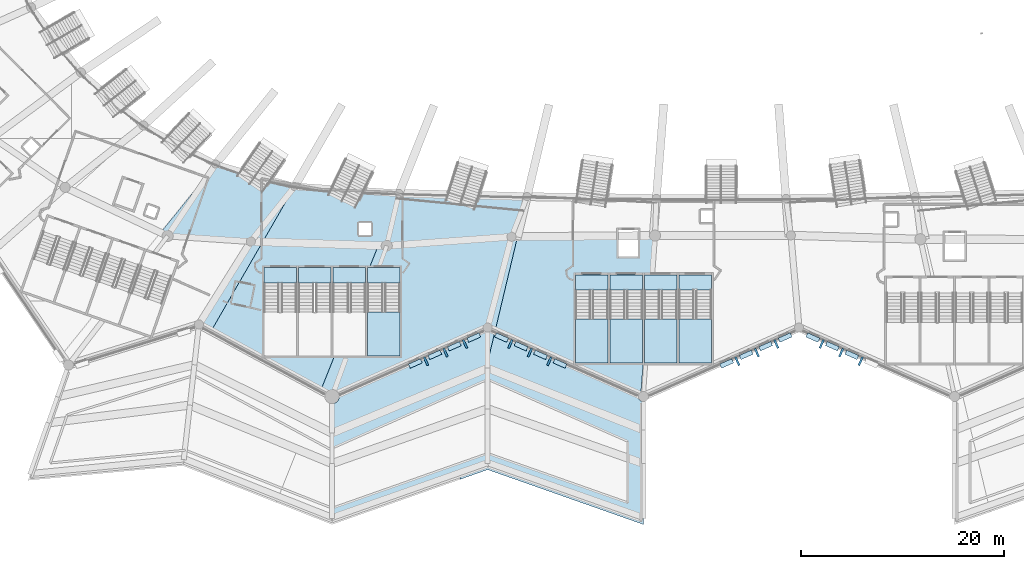
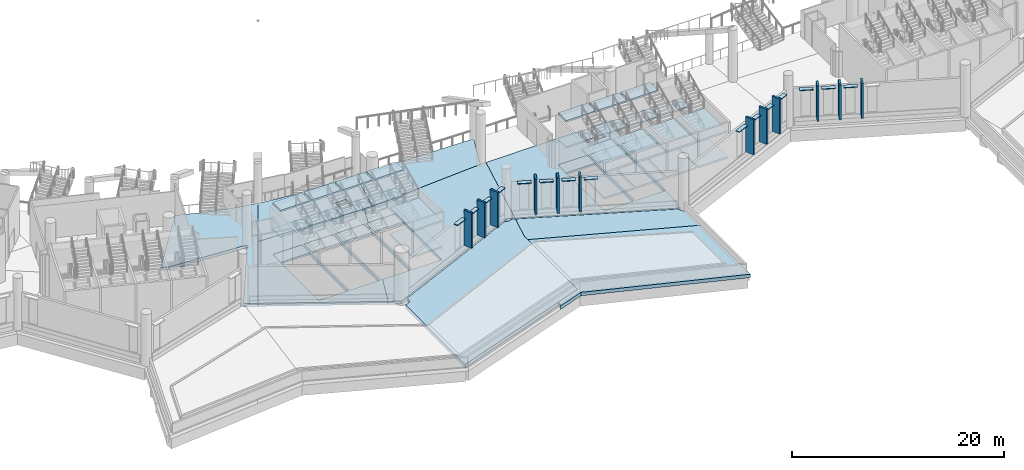
# One storey, part 23 of 173: 41 slabs, 27 plates, 8 elements without a shape of their own.
"""IFC4 building model written with IfcOpenShell, lengths in metres."""

from ifc_helpers import new_model, si_unit, direction, frame, origin, origin_2d, place, context, subcontext, project, spatial, polyline, rectangle, outline, extrude, material, layer, layer_set, type_object, element, aggregate, save


model = new_model("IFC4")

# Units and contexts
model_context = context("Model", 3, precision=1e-05, world=origin(), true_north=direction((0.0, 1.0)))
body_context = subcontext(model_context, "Body", "Model", "MODEL_VIEW")
ifc_project = project(units=[si_unit("LENGTHUNIT", "METRE"), si_unit("AREAUNIT", "SQUARE_METRE"), si_unit("VOLUMEUNIT", "CUBIC_METRE"), si_unit("PLANEANGLEUNIT", "RADIAN"), si_unit("MASSUNIT", "GRAM", prefix="KILO")], contexts=[model_context])

# Site, building, storey
site_placement = place(None, origin())
site = spatial("IfcSite", under=ifc_project, at=site_placement, CompositionType="ELEMENT")
building_placement = place(site_placement, origin())
building = spatial("IfcBuilding", under=site, at=building_placement, Name="Meseta Stadium", CompositionType="ELEMENT")
storey_placement = place(building_placement, frame((0.0, 0.0, 18.0)))
storey = spatial("IfcBuildingStorey", under=building, at=storey_placement, Name="L03", CompositionType="ELEMENT", Elevation=18.0)

# Slabs
ifc_material_1 = material(Name="Concrete C40/50", Category="concrete")
ifc_layer_1 = layer(ifc_material_1, 0.35009765625)
ifc_layer_set_1 = layer_set([ifc_layer_1], Name="Floor slab 350")
slab_type_1 = type_object("IfcSlabType", Name="Floor slab 350", PredefinedType="FLOOR", material=ifc_layer_set_1)
slab_1_placement = place(storey_placement, frame((0.0, 0.0, -0.35009765625)))
element("IfcSlab", 1, at=slab_1_placement, inside=storey, type_object=slab_type_1, Name="Floor slab L03 sector 42 panel 02", PredefinedType="FLOOR", context=body_context, shape_type="SweptSolid", body=[
    extrude(outline(polyline([(-44.658935546875, -84.156005859375), (-45.963623046875, -83.810302734375), (-47.255126953125, -83.418701171875), (-48.531494140625, -82.981201171875), (-49.78125, -82.502685546875), (-55.224365234375, -89.246826171875), (-54.523193359375, -89.579345703125), (-46.333251953125, -90.126220703125), (-51.44140625, -98.29443359375), (-50.244384765625, -98.943359375), (-42.015380859375, -84.707275390625), (-43.34228515625, -84.455078125), (-44.658935546875, -84.156005859375)])), origin(), (0.0, 0.0, 1.0), 0.35009765625),
])
slab_2_placement = place(storey_placement, frame((0.0, 0.0, -0.35009765625)))
element("IfcSlab", 2, at=slab_2_placement, inside=storey, type_object=slab_type_1, Name="Floor slab L03 sector 42 panel 03", PredefinedType="FLOOR", context=body_context, shape_type="SweptSolid", body=[
    extrude(outline(polyline([(-45.169189453125, -90.1630859375), (-50.244384765625, -98.943359375), (-39.443603515625, -104.798095703125), (-38.09521484375, -101.39990234375), (-38.2333984375, -101.39990234375), (-38.2333984375, -92.699951171875), (-35.033203125, -92.699951171875), (-35.033203125, -93.683837890625), (-34.833251953125, -93.179931640625), (-34.833251953125, -92.699951171875), (-34.642822265625, -92.699951171875), (-33.779541015625, -90.524658203125), (-45.169189453125, -90.1630859375)]), holes=[polyline([(-41.63330078125, -92.699951171875), (-38.433349609375, -92.699951171875), (-38.433349609375, -101.39990234375), (-41.63330078125, -101.39990234375), (-41.63330078125, -92.699951171875)]), polyline([(-45.033203125, -92.699951171875), (-41.833251953125, -92.699951171875), (-41.833251953125, -101.39990234375), (-45.033203125, -101.39990234375), (-45.033203125, -92.699951171875)])]), origin(), (0.0, 0.0, 1.0), 0.35009765625),
])
slab_3_placement = place(storey_placement, frame((0.0, 0.0, -0.35009765625)))
element("IfcSlab", 3, at=slab_3_placement, inside=storey, type_object=slab_type_1, Name="Floor slab L03 sector 42 panel 04", PredefinedType="FLOOR", context=body_context, shape_type="SweptSolid", body=[
    extrude(outline(polyline([(-35.91015625, -85.2470703125), (-37.989990234375, -85.17919921875), (-39.337890625, -85.069580078125), (-40.68017578125, -84.912109375), (-42.015380859375, -84.707275390625), (-45.169189453125, -90.1630859375), (-32.944091796875, -90.551025390625), (-31.73681640625, -85.376708984375), (-33.82568359375, -85.31298828125), (-35.91015625, -85.2470703125)]), holes=[polyline([(-35.683349609375, -88.301025390625), (-34.4833984375, -88.301025390625), (-34.4833984375, -89.501220703125), (-35.683349609375, -89.501220703125), (-35.683349609375, -88.301025390625)])]), origin(), (0.0, 0.0, 1.0), 0.35009765625),
])
slab_4_placement = place(storey_placement, frame((0.0, 0.0, -0.35009765625)))
element("IfcSlab", 4, at=slab_4_placement, inside=storey, type_object=slab_type_1, Name="Floor slab L03 sector 42 panel 05", PredefinedType="FLOOR", context=body_context, shape_type="SweptSolid", body=[
    extrude(outline(polyline([(-35.033203125, -93.683837890625), (-35.033203125, -101.39990234375), (-38.09521484375, -101.39990234375), (-39.443603515625, -104.798095703125), (-38.333251953125, -105.39990234375), (-23.0, -98.60009765625), (-22.267822265625, -98.9248046875), (-20.059814453125, -89.651611328125), (-20.649658203125, -89.65625), (-32.944091796875, -90.551025390625), (-33.779541015625, -90.524658203125), (-34.642822265625, -92.699951171875), (-31.63330078125, -92.699951171875), (-31.63330078125, -101.39990234375), (-34.833251953125, -101.39990234375), (-34.833251953125, -93.179931640625), (-35.033203125, -93.683837890625)])), origin(), (0.0, 0.0, 1.0), 0.35009765625),
])
slab_5_placement = place(storey_placement, frame((0.0, 0.0, -0.35009765625)))
element("IfcSlab", 5, at=slab_5_placement, inside=storey, type_object=slab_type_1, Name="Floor slab L03 sector 42 panel 06", PredefinedType="FLOOR", context=body_context, shape_type="SweptSolid", body=[
    extrude(outline(polyline([(-27.54638671875, -85.49658203125), (-29.643798828125, -85.43798828125), (-31.73681640625, -85.376708984375), (-32.944091796875, -90.551025390625), (-20.649658203125, -89.65625), (-19.11865234375, -85.6982421875), (-21.23095703125, -85.6533203125), (-23.33984375, -85.6044921875), (-25.445068359375, -85.55224609375), (-27.54638671875, -85.49658203125)])), origin(), (0.0, 0.0, 1.0), 0.35009765625),
])
slab_6_placement = place(storey_placement, frame((0.0, 0.0, -0.35009765625)))
element("IfcSlab", 6, at=slab_6_placement, inside=storey, type_object=slab_type_1, Name="Floor slab L03 sector 42 panel 07", PredefinedType="FLOOR", context=body_context, shape_type="SweptSolid", body=[
    extrude(outline(polyline([(-20.059814453125, -89.651611328125), (-22.267822265625, -98.9248046875), (-7.92724609375, -105.284423828125), (-7.566650390625, -100.740478515625), (-7.566650390625, -93.39990234375), (-6.984130859375, -93.39990234375), (-6.678466796875, -89.547607421875), (-8.216796875, -89.5595703125), (-8.216796875, -91.60009765625), (-10.11669921875, -91.60009765625), (-10.11669921875, -89.574462890625), (-20.059814453125, -89.651611328125)]), holes=[polyline([(-14.36669921875, -93.39990234375), (-11.166748046875, -93.39990234375), (-11.166748046875, -102.10009765625), (-14.36669921875, -102.10009765625), (-14.36669921875, -93.39990234375)]), polyline([(-10.966796875, -93.39990234375), (-7.7666015625, -93.39990234375), (-7.7666015625, -102.10009765625), (-10.966796875, -102.10009765625), (-10.966796875, -93.39990234375)])]), origin(), (0.0, 0.0, 1.0), 0.35009765625),
])

# Plates
ifc_material_2 = material(Name="White precast concrete C40/50", Category="concrete")
ifc_layer_2 = layer(ifc_material_2, 0.080078125)
ifc_layer_set_2 = layer_set([ifc_layer_2], Name="Louvre hood 1300x450")
plate_type_1 = type_object("IfcPlateType", Name="Louvre hood 1300x450", PredefinedType="USERDEFINED", material=ifc_layer_set_2)
for number, where, z_axis, x_axis, name in (
    (7, (-24.366455078125, -99.5888671875, 4.25), (0.0, 0.0, 1.0), (0.914139046248, 0.40540079443, 0.0), "Louvre hood L03 F44"),
    (8, (-26.2861328125, -100.440185546875, 4.25), (0.0, 0.0, 1.0), (0.914139046248, 0.40540079443, 0.0), "Louvre hood L03 F44"),
    (9, (-28.205810546875, -101.29150390625, 4.25), (0.0, 0.0, 1.0), (0.914139046248, 0.40540079443, 0.0), "Louvre hood L03 F44"),
    (10, (-30.12548828125, -102.142822265625, 4.25), (0.0, 0.0, 1.0), (0.914139046248, 0.40540079443, 0.0), "Louvre hood L03 F44"),
    (11, (-21.633544921875, -99.5888671875, 4.25), (0.0, 0.0, 1.0), (0.914139046248, -0.40540079443, 0.0), "Louvre hood L03 F45"),
    (12, (-19.7138671875, -100.440185546875, 4.25), (0.0, 0.0, 1.0), (0.914139046248, -0.40540079443, 0.0), "Louvre hood L03 F45"),
    (13, (-17.794189453125, -101.29150390625, 4.25), (0.0, 0.0, 1.0), (0.914139046248, -0.40540079443, 0.0), "Louvre hood L03 F45"),
    (14, (-15.87451171875, -102.142822265625, 4.25), (0.0, 0.0, 1.0), (0.914139046248, -0.40540079443, 0.0), "Louvre hood L03 F45"),
    (15, (6.30029296875, -99.5888671875, 4.25), (0.0, 0.0, 1.0), (0.914139046248, 0.40540079443, 0.0), "Louvre hood L03 F46"),
    (16, (4.380615234375, -100.440185546875, 4.25), (0.0, 0.0, 1.0), (0.914139046248, 0.40540079443, 0.0), "Louvre hood L03 F46"),
    (17, (2.4609375, -101.29150390625, 4.25), (0.0, 0.0, 1.0), (0.914139046248, 0.40540079443, 0.0), "Louvre hood L03 F46"),
    (18, (0.541259765625, -102.142822265625, 4.25), (0.0, 0.0, 1.0), (0.914139046248, 0.40540079443, 0.0), "Louvre hood L03 F46"),
    (19, (9.033203125, -99.5888671875, 4.25), (0.0, 0.0, 1.0), (0.914139046248, -0.40540079443, 0.0), "Louvre hood L03 F47"),
    (20, (10.952880859375, -100.440185546875, 4.25), (0.0, 0.0, 1.0), (0.914139046248, -0.40540079443, 0.0), "Louvre hood L03 F47"),
    (21, (12.87255859375, -101.29150390625, 4.25), (0.0, 0.0, 1.0), (0.914139046248, -0.40540079443, 0.0), "Louvre hood L03 F47"),
):
    element("IfcPlate", number, at=place(storey_placement, frame(where, z_axis=z_axis, x_axis=x_axis)), inside=storey, type_object=plate_type_1, Name=name, ObjectType="LOUVRE", PredefinedType="USERDEFINED", context=body_context, shape_type="SweptSolid", body=[
        extrude(rectangle(XDim=1.300048828125, YDim=0.449951171875, at=origin_2d()), origin(), (0.0, 0.0, 1.0), 0.080078125),
    ])
ifc_material_3 = material(Name="Precast concrete C40/50, terracotta pigment", Category="masonry")
ifc_layer_3 = layer(ifc_material_3, 0.199951171875)
ifc_layer_set_3 = layer_set([ifc_layer_3], Name="Precast concrete C40/50, terracotta pigment")
plate_type_2 = type_object("IfcPlateType", Name="Precast fin 200x900", PredefinedType="USERDEFINED", material=ifc_layer_set_3)
for number, where, z_axis, x_axis, name in (
    (22, (-25.235107421875, -100.22021484375, 0.9501953125), (0.0, 0.0, 1.0), (-0.914139367606, -0.405400069798, 0.0), "Precast fin L03 F44.1"),
    (23, (-27.15478515625, -101.071533203125, 0.9501953125), (0.0, 0.0, 1.0), (-0.914139367606, -0.405400069798, 0.0), "Precast fin L03 F44.2"),
    (24, (-29.074462890625, -101.9228515625, 0.9501953125), (0.0, 0.0, 1.0), (-0.914139367606, -0.405400069798, 0.0), "Precast fin L03 F44.3"),
    (25, (-16.925537109375, -101.9228515625, 0.9501953125), (0.0, 0.0, 1.0), (-0.914139367606, 0.405400069798, 0.0), "Precast fin L03 F45.1"),
    (26, (-18.84521484375, -101.071533203125, 0.9501953125), (0.0, 0.0, 1.0), (-0.914139367606, 0.405400069798, 0.0), "Precast fin L03 F45.2"),
    (27, (-20.764892578125, -100.22021484375, 0.9501953125), (0.0, 0.0, 1.0), (-0.914139367606, 0.405400069798, 0.0), "Precast fin L03 F45.3"),
    (28, (5.431640625, -100.22021484375, 0.9501953125), (0.0, 0.0, 1.0), (-0.914139367606, -0.405400069798, 0.0), "Precast fin L03 F46.1"),
    (29, (3.511962890625, -101.071533203125, 0.9501953125), (0.0, 0.0, 1.0), (-0.914139367606, -0.405400069798, 0.0), "Precast fin L03 F46.2"),
    (30, (1.59228515625, -101.9228515625, 0.9501953125), (0.0, 0.0, 1.0), (-0.914139367606, -0.405400069798, 0.0), "Precast fin L03 F46.3"),
    (31, (13.7412109375, -101.9228515625, 0.9501953125), (0.0, 0.0, 1.0), (-0.914139367606, 0.405400069798, 0.0), "Precast fin L03 F47.1"),
    (32, (11.8212890625, -101.071533203125, 0.9501953125), (0.0, 0.0, 1.0), (-0.914139367606, 0.405400069798, 0.0), "Precast fin L03 F47.2"),
    (33, (9.901611328125, -100.22021484375, 0.9501953125), (0.0, 0.0, 1.0), (-0.914139367606, 0.405400069798, 0.0), "Precast fin L03 F47.3"),
):
    element("IfcPlate", number, at=place(storey_placement, frame(where, z_axis=z_axis, x_axis=x_axis)), inside=storey, type_object=plate_type_2, Name=name, ObjectType="FIN", PredefinedType="USERDEFINED", context=body_context, shape_type="SweptSolid", body=[
        extrude(rectangle(XDim=0.199951171875, YDim=0.89990234375, at=origin_2d()), origin(), (0.0, 0.0, 1.0), 4.050048828125),
    ])

# Slabs
ifc_material_4 = material(Name="Concrete C40/50", Category="concrete")
ifc_layer_4 = layer(ifc_material_4, 0.39990234375)
ifc_layer_set_4 = layer_set([ifc_layer_4], Name="Roof garden slab 400")
slab_type_2 = type_object("IfcSlabType", Name="Roof garden slab 400", PredefinedType="ROOF", material=ifc_layer_set_4)
slab_7_placement = place(storey_placement, frame((0.0, 0.0, -0.39990234375)))
element("IfcSlab", 34, at=slab_7_placement, inside=storey, type_object=slab_type_2, Name="Roof garden slab 6 panel 05", PredefinedType="ROOF", context=body_context, shape_type="SweptSolid", body=[
    extrude(outline(polyline([(-37.721923828125, -105.7529296875), (-37.833984375, -105.899169921875), (-37.980224609375, -106.011474609375), (-38.150634765625, -106.08203125), (-38.333251953125, -106.10595703125), (-38.333251953125, -117.39990234375), (-23.0, -112.0), (-23.0, -102.0), (-22.302978515625, -99.072998046875), (-22.670654296875, -98.91015625), (-22.67919921875, -98.9208984375), (-22.773193359375, -98.9931640625), (-22.882568359375, -99.038330078125), (-23.0, -99.053955078125), (-23.117431640625, -99.038330078125), (-23.226806640625, -98.9931640625), (-23.32080078125, -98.9208984375), (-23.329345703125, -98.91015625), (-37.645751953125, -105.25927734375), (-37.627197265625, -105.39990234375), (-37.6513671875, -105.582763671875), (-37.721923828125, -105.7529296875)])), origin(), (0.0, 0.0, 1.0), 0.39990234375),
])
slab_8_placement = place(storey_placement, frame((0.0, 0.0, -0.39990234375)))
element("IfcSlab", 35, at=slab_8_placement, inside=storey, type_object=slab_type_2, Name="Roof garden slab 6 panel 06", PredefinedType="ROOF", context=body_context, shape_type="SweptSolid", body=[
    extrude(outline(polyline([(-25.7548828125, -113.5703125), (-23.0, -112.60009765625), (-7.666748046875, -118.0), (-7.666748046875, -108.699951171875), (-23.0, -102.60009765625), (-23.0, -112.0), (-25.598876953125, -112.915283203125), (-25.7548828125, -113.5703125)])), origin(), (0.0, 0.0, 1.0), 0.39990234375),
])
slab_9_placement = place(storey_placement, frame((0.0, 0.0, -0.39990234375)))
element("IfcSlab", 36, at=slab_9_placement, inside=storey, type_object=slab_type_2, Name="Roof garden slab 6 panel 07", PredefinedType="ROOF", context=body_context, shape_type="SweptSolid", body=[
    extrude(outline(polyline([(-8.103515625, -105.652099609375), (-8.15380859375, -105.530517578125), (-8.1708984375, -105.39990234375), (-8.16357421875, -105.34375), (-22.302978515625, -99.072998046875), (-23.0, -102.0), (-23.0, -102.60009765625), (-7.666748046875, -108.699951171875), (-7.666748046875, -105.904296875), (-7.797119140625, -105.88720703125), (-7.918701171875, -105.836669921875), (-7.96826171875, -105.798828125), (-8.023193359375, -105.756591796875), (-8.103515625, -105.652099609375)])), origin(), (0.0, 0.0, 1.0), 0.39990234375),
])

# Stair, slabs
ifc_material_5 = material(Name="Concrete C40/50", Category="concrete")
stair_type = type_object("IfcStairType", Name="Exit stair 4 flights 150 mm risers", PredefinedType="HALF_TURN_STAIR", material=ifc_material_5)
stair_1_placement = place(storey_placement, origin())
stair_1 = element("IfcStair", 37, at=stair_1_placement, inside=storey, type_object=stair_type, Name="ST89 L03", PredefinedType="HALF_TURN_STAIR")
ifc_material_6 = material(Name="Concrete C40/50", Category="concrete")
ifc_layer_5 = layer(ifc_material_6, 0.199951171875)
ifc_layer_set_5 = layer_set([ifc_layer_5], Name="Stair landing 200")
slab_type_3 = type_object("IfcSlabType", Name="Stair landing 200", PredefinedType="LANDING", material=ifc_layer_set_5)
slab_10_placement = place(storey_placement, frame((0.0, 0.0, 2.800048828125)))
slab_10 = element("IfcSlab", 38, at=slab_10_placement, type_object=slab_type_3, Name="ST89 L03 landing 2", PredefinedType="LANDING", context=body_context, shape_type="SweptSolid", body=[
    extrude(outline(polyline([(-45.033447265625, -92.699951171875), (-45.033447265625, -94.2099609375), (-41.833251953125, -94.2099609375), (-41.833251953125, -92.699951171875), (-45.033447265625, -92.699951171875)])), origin(), (0.0, 0.0, 1.0), 0.199951171875),
])
slab_11_placement = place(storey_placement, frame((0.0, 0.0, -0.199951171875)))
slab_11 = element("IfcSlab", 39, at=slab_11_placement, type_object=slab_type_3, Name="ST89 L03 landing 4", PredefinedType="LANDING", context=body_context, shape_type="SweptSolid", body=[
    extrude(outline(polyline([(-45.033447265625, -92.699951171875), (-45.033447265625, -94.2099609375), (-41.833251953125, -94.2099609375), (-41.833251953125, -92.699951171875), (-45.033447265625, -92.699951171875)])), origin(), (0.0, 0.0, 1.0), 0.199951171875),
])
slab_12_placement = place(storey_placement, frame((0.0, 0.0, 5.800048828125)))
slab_12 = element("IfcSlab", 40, at=slab_12_placement, type_object=slab_type_3, Name="ST89 L03 landing 5", PredefinedType="LANDING", context=body_context, shape_type="SweptSolid", body=[
    extrude(outline(polyline([(-45.033447265625, -92.699951171875), (-45.033447265625, -94.2099609375), (-41.833251953125, -94.2099609375), (-41.833251953125, -92.699951171875), (-45.033447265625, -92.699951171875)])), origin(), (0.0, 0.0, 1.0), 0.199951171875),
])
aggregate(stair_1, [slab_10, slab_11, slab_12])

stair_2_placement = place(storey_placement, origin())
stair_2 = element("IfcStair", 41, at=stair_2_placement, inside=storey, type_object=stair_type, Name="ST90 L03", PredefinedType="HALF_TURN_STAIR")
slab_13_placement = place(storey_placement, frame((0.0, 0.0, 2.800048828125)))
slab_13 = element("IfcSlab", 42, at=slab_13_placement, type_object=slab_type_3, Name="ST90 L03 landing 2", PredefinedType="LANDING", context=body_context, shape_type="SweptSolid", body=[
    extrude(outline(polyline([(-41.63330078125, -92.699951171875), (-41.63330078125, -94.2099609375), (-38.433349609375, -94.2099609375), (-38.433349609375, -92.699951171875), (-41.63330078125, -92.699951171875)])), origin(), (0.0, 0.0, 1.0), 0.199951171875),
])
slab_14_placement = place(storey_placement, frame((0.0, 0.0, -0.199951171875)))
slab_14 = element("IfcSlab", 43, at=slab_14_placement, type_object=slab_type_3, Name="ST90 L03 landing 4", PredefinedType="LANDING", context=body_context, shape_type="SweptSolid", body=[
    extrude(outline(polyline([(-41.63330078125, -92.699951171875), (-41.63330078125, -94.2099609375), (-38.433349609375, -94.2099609375), (-38.433349609375, -92.699951171875), (-41.63330078125, -92.699951171875)])), origin(), (0.0, 0.0, 1.0), 0.199951171875),
])
slab_15_placement = place(storey_placement, frame((0.0, 0.0, 5.800048828125)))
slab_15 = element("IfcSlab", 44, at=slab_15_placement, type_object=slab_type_3, Name="ST90 L03 landing 5", PredefinedType="LANDING", context=body_context, shape_type="SweptSolid", body=[
    extrude(outline(polyline([(-41.63330078125, -92.699951171875), (-41.63330078125, -94.2099609375), (-38.433349609375, -94.2099609375), (-38.433349609375, -92.699951171875), (-41.63330078125, -92.699951171875)])), origin(), (0.0, 0.0, 1.0), 0.199951171875),
])
aggregate(stair_2, [slab_13, slab_14, slab_15])

stair_3_placement = place(storey_placement, origin())
stair_3 = element("IfcStair", 45, at=stair_3_placement, inside=storey, type_object=stair_type, Name="ST91 L03", PredefinedType="HALF_TURN_STAIR")
slab_16_placement = place(storey_placement, frame((0.0, 0.0, 2.800048828125)))
slab_16 = element("IfcSlab", 46, at=slab_16_placement, type_object=slab_type_3, Name="ST91 L03 landing 2", PredefinedType="LANDING", context=body_context, shape_type="SweptSolid", body=[
    extrude(outline(polyline([(-38.2333984375, -92.699951171875), (-38.2333984375, -94.2099609375), (-35.033447265625, -94.2099609375), (-35.033447265625, -92.699951171875), (-38.2333984375, -92.699951171875)])), origin(), (0.0, 0.0, 1.0), 0.199951171875),
])
slab_17_placement = place(storey_placement, frame((0.0, 0.0, -0.199951171875)))
slab_17 = element("IfcSlab", 47, at=slab_17_placement, type_object=slab_type_3, Name="ST91 L03 landing 4", PredefinedType="LANDING", context=body_context, shape_type="SweptSolid", body=[
    extrude(outline(polyline([(-38.2333984375, -92.699951171875), (-38.2333984375, -94.2099609375), (-35.033447265625, -94.2099609375), (-35.033447265625, -92.699951171875), (-38.2333984375, -92.699951171875)])), origin(), (0.0, 0.0, 1.0), 0.199951171875),
])
slab_18_placement = place(storey_placement, frame((0.0, 0.0, 5.800048828125)))
slab_18 = element("IfcSlab", 48, at=slab_18_placement, type_object=slab_type_3, Name="ST91 L03 landing 5", PredefinedType="LANDING", context=body_context, shape_type="SweptSolid", body=[
    extrude(outline(polyline([(-38.2333984375, -92.699951171875), (-38.2333984375, -94.2099609375), (-35.033447265625, -94.2099609375), (-35.033447265625, -92.699951171875), (-38.2333984375, -92.699951171875)])), origin(), (0.0, 0.0, 1.0), 0.199951171875),
])
aggregate(stair_3, [slab_16, slab_17, slab_18])

stair_4_placement = place(storey_placement, origin())
stair_4 = element("IfcStair", 49, at=stair_4_placement, inside=storey, type_object=stair_type, Name="ST92 L03", PredefinedType="HALF_TURN_STAIR")
slab_19_placement = place(storey_placement, frame((0.0, 0.0, 1.300048828125)))
slab_19 = element("IfcSlab", 50, at=slab_19_placement, type_object=slab_type_3, Name="ST92 L03 landing 1", PredefinedType="LANDING", context=body_context, shape_type="SweptSolid", body=[
    extrude(outline(polyline([(-34.833251953125, -97.070068359375), (-34.833251953125, -101.39990234375), (-31.63330078125, -101.39990234375), (-31.63330078125, -97.070068359375), (-34.833251953125, -97.070068359375)])), origin(), (0.0, 0.0, 1.0), 0.199951171875),
])
slab_20_placement = place(storey_placement, frame((0.0, 0.0, 2.800048828125)))
slab_20 = element("IfcSlab", 51, at=slab_20_placement, type_object=slab_type_3, Name="ST92 L03 landing 2", PredefinedType="LANDING", context=body_context, shape_type="SweptSolid", body=[
    extrude(outline(polyline([(-34.833251953125, -92.699951171875), (-34.833251953125, -94.2099609375), (-31.63330078125, -94.2099609375), (-31.63330078125, -92.699951171875), (-34.833251953125, -92.699951171875)])), origin(), (0.0, 0.0, 1.0), 0.199951171875),
])
slab_21_placement = place(storey_placement, frame((0.0, 0.0, 4.300048828125)))
slab_21 = element("IfcSlab", 52, at=slab_21_placement, type_object=slab_type_3, Name="ST92 L03 landing 3", PredefinedType="LANDING", context=body_context, shape_type="SweptSolid", body=[
    extrude(outline(polyline([(-34.833251953125, -97.070068359375), (-34.833251953125, -101.39990234375), (-31.63330078125, -101.39990234375), (-31.63330078125, -97.070068359375), (-34.833251953125, -97.070068359375)])), origin(), (0.0, 0.0, 1.0), 0.199951171875),
])
slab_22_placement = place(storey_placement, frame((0.0, 0.0, -0.199951171875)))
slab_22 = element("IfcSlab", 53, at=slab_22_placement, type_object=slab_type_3, Name="ST92 L03 landing 4", PredefinedType="LANDING", context=body_context, shape_type="SweptSolid", body=[
    extrude(outline(polyline([(-34.833251953125, -92.699951171875), (-34.833251953125, -94.2099609375), (-31.63330078125, -94.2099609375), (-31.63330078125, -92.699951171875), (-34.833251953125, -92.699951171875)])), origin(), (0.0, 0.0, 1.0), 0.199951171875),
])
slab_23_placement = place(storey_placement, frame((0.0, 0.0, 5.800048828125)))
slab_23 = element("IfcSlab", 54, at=slab_23_placement, type_object=slab_type_3, Name="ST92 L03 landing 5", PredefinedType="LANDING", context=body_context, shape_type="SweptSolid", body=[
    extrude(outline(polyline([(-34.833251953125, -92.699951171875), (-34.833251953125, -94.2099609375), (-31.63330078125, -94.2099609375), (-31.63330078125, -92.699951171875), (-34.833251953125, -92.699951171875)])), origin(), (0.0, 0.0, 1.0), 0.199951171875),
])
aggregate(stair_4, [slab_19, slab_20, slab_21, slab_22, slab_23])

stair_5_placement = place(storey_placement, origin())
stair_5 = element("IfcStair", 55, at=stair_5_placement, inside=storey, type_object=stair_type, Name="ST93 L03", PredefinedType="HALF_TURN_STAIR")
slab_24_placement = place(storey_placement, frame((0.0, 0.0, 1.300048828125)))
slab_24 = element("IfcSlab", 56, at=slab_24_placement, type_object=slab_type_3, Name="ST93 L03 landing 1", PredefinedType="LANDING", context=body_context, shape_type="SweptSolid", body=[
    extrude(outline(polyline([(-14.36669921875, -97.77001953125), (-14.36669921875, -102.10009765625), (-11.166748046875, -102.10009765625), (-11.166748046875, -97.77001953125), (-14.36669921875, -97.77001953125)])), origin(), (0.0, 0.0, 1.0), 0.199951171875),
])
slab_25_placement = place(storey_placement, frame((0.0, 0.0, 2.800048828125)))
slab_25 = element("IfcSlab", 57, at=slab_25_placement, type_object=slab_type_3, Name="ST93 L03 landing 2", PredefinedType="LANDING", context=body_context, shape_type="SweptSolid", body=[
    extrude(outline(polyline([(-14.36669921875, -93.39990234375), (-14.36669921875, -94.909912109375), (-11.166748046875, -94.909912109375), (-11.166748046875, -93.39990234375), (-14.36669921875, -93.39990234375)])), origin(), (0.0, 0.0, 1.0), 0.199951171875),
])
slab_26_placement = place(storey_placement, frame((0.0, 0.0, 4.300048828125)))
slab_26 = element("IfcSlab", 58, at=slab_26_placement, type_object=slab_type_3, Name="ST93 L03 landing 3", PredefinedType="LANDING", context=body_context, shape_type="SweptSolid", body=[
    extrude(outline(polyline([(-14.36669921875, -97.77001953125), (-14.36669921875, -102.10009765625), (-11.166748046875, -102.10009765625), (-11.166748046875, -97.77001953125), (-14.36669921875, -97.77001953125)])), origin(), (0.0, 0.0, 1.0), 0.199951171875),
])
slab_27_placement = place(storey_placement, frame((0.0, 0.0, -0.199951171875)))
slab_27 = element("IfcSlab", 59, at=slab_27_placement, type_object=slab_type_3, Name="ST93 L03 landing 4", PredefinedType="LANDING", context=body_context, shape_type="SweptSolid", body=[
    extrude(outline(polyline([(-14.36669921875, -93.39990234375), (-14.36669921875, -94.909912109375), (-11.166748046875, -94.909912109375), (-11.166748046875, -93.39990234375), (-14.36669921875, -93.39990234375)])), origin(), (0.0, 0.0, 1.0), 0.199951171875),
])
slab_28_placement = place(storey_placement, frame((0.0, 0.0, 5.800048828125)))
slab_28 = element("IfcSlab", 60, at=slab_28_placement, type_object=slab_type_3, Name="ST93 L03 landing 5", PredefinedType="LANDING", context=body_context, shape_type="SweptSolid", body=[
    extrude(outline(polyline([(-14.36669921875, -93.39990234375), (-14.36669921875, -94.909912109375), (-11.166748046875, -94.909912109375), (-11.166748046875, -93.39990234375), (-14.36669921875, -93.39990234375)])), origin(), (0.0, 0.0, 1.0), 0.199951171875),
])
aggregate(stair_5, [slab_24, slab_25, slab_26, slab_27, slab_28])

stair_6_placement = place(storey_placement, origin())
stair_6 = element("IfcStair", 61, at=stair_6_placement, inside=storey, type_object=stair_type, Name="ST94 L03", PredefinedType="HALF_TURN_STAIR")
slab_29_placement = place(storey_placement, frame((0.0, 0.0, 1.300048828125)))
slab_29 = element("IfcSlab", 62, at=slab_29_placement, type_object=slab_type_3, Name="ST94 L03 landing 1", PredefinedType="LANDING", context=body_context, shape_type="SweptSolid", body=[
    extrude(outline(polyline([(-10.966552734375, -97.77001953125), (-10.966552734375, -102.10009765625), (-7.7666015625, -102.10009765625), (-7.7666015625, -97.77001953125), (-10.966552734375, -97.77001953125)])), origin(), (0.0, 0.0, 1.0), 0.199951171875),
])
slab_30_placement = place(storey_placement, frame((0.0, 0.0, 2.800048828125)))
slab_30 = element("IfcSlab", 63, at=slab_30_placement, type_object=slab_type_3, Name="ST94 L03 landing 2", PredefinedType="LANDING", context=body_context, shape_type="SweptSolid", body=[
    extrude(outline(polyline([(-10.966552734375, -93.39990234375), (-10.966552734375, -94.909912109375), (-7.7666015625, -94.909912109375), (-7.7666015625, -93.39990234375), (-10.966552734375, -93.39990234375)])), origin(), (0.0, 0.0, 1.0), 0.199951171875),
])
slab_31_placement = place(storey_placement, frame((0.0, 0.0, 4.300048828125)))
slab_31 = element("IfcSlab", 64, at=slab_31_placement, type_object=slab_type_3, Name="ST94 L03 landing 3", PredefinedType="LANDING", context=body_context, shape_type="SweptSolid", body=[
    extrude(outline(polyline([(-10.966552734375, -97.77001953125), (-10.966552734375, -102.10009765625), (-7.7666015625, -102.10009765625), (-7.7666015625, -97.77001953125), (-10.966552734375, -97.77001953125)])), origin(), (0.0, 0.0, 1.0), 0.199951171875),
])
slab_32_placement = place(storey_placement, frame((0.0, 0.0, -0.199951171875)))
slab_32 = element("IfcSlab", 65, at=slab_32_placement, type_object=slab_type_3, Name="ST94 L03 landing 4", PredefinedType="LANDING", context=body_context, shape_type="SweptSolid", body=[
    extrude(outline(polyline([(-10.966552734375, -93.39990234375), (-10.966552734375, -94.909912109375), (-7.7666015625, -94.909912109375), (-7.7666015625, -93.39990234375), (-10.966552734375, -93.39990234375)])), origin(), (0.0, 0.0, 1.0), 0.199951171875),
])
slab_33_placement = place(storey_placement, frame((0.0, 0.0, 5.800048828125)))
slab_33 = element("IfcSlab", 66, at=slab_33_placement, type_object=slab_type_3, Name="ST94 L03 landing 5", PredefinedType="LANDING", context=body_context, shape_type="SweptSolid", body=[
    extrude(outline(polyline([(-10.966552734375, -93.39990234375), (-10.966552734375, -94.909912109375), (-7.7666015625, -94.909912109375), (-7.7666015625, -93.39990234375), (-10.966552734375, -93.39990234375)])), origin(), (0.0, 0.0, 1.0), 0.199951171875),
])
aggregate(stair_6, [slab_29, slab_30, slab_31, slab_32, slab_33])

stair_7_placement = place(storey_placement, origin())
stair_7 = element("IfcStair", 67, at=stair_7_placement, inside=storey, type_object=stair_type, Name="ST95 L03", PredefinedType="HALF_TURN_STAIR")
slab_34_placement = place(storey_placement, frame((0.0, 0.0, 1.300048828125)))
slab_34 = element("IfcSlab", 68, at=slab_34_placement, type_object=slab_type_3, Name="ST95 L03 landing 1", PredefinedType="LANDING", context=body_context, shape_type="SweptSolid", body=[
    extrude(outline(polyline([(-7.566650390625, -97.77001953125), (-7.566650390625, -102.10009765625), (-4.36669921875, -102.10009765625), (-4.36669921875, -97.77001953125), (-7.566650390625, -97.77001953125)])), origin(), (0.0, 0.0, 1.0), 0.199951171875),
])
slab_35_placement = place(storey_placement, frame((0.0, 0.0, 2.800048828125)))
slab_35 = element("IfcSlab", 69, at=slab_35_placement, type_object=slab_type_3, Name="ST95 L03 landing 2", PredefinedType="LANDING", context=body_context, shape_type="SweptSolid", body=[
    extrude(outline(polyline([(-7.566650390625, -93.39990234375), (-7.566650390625, -94.909912109375), (-4.36669921875, -94.909912109375), (-4.36669921875, -93.39990234375), (-7.566650390625, -93.39990234375)])), origin(), (0.0, 0.0, 1.0), 0.199951171875),
])
slab_36_placement = place(storey_placement, frame((0.0, 0.0, 4.300048828125)))
slab_36 = element("IfcSlab", 70, at=slab_36_placement, type_object=slab_type_3, Name="ST95 L03 landing 3", PredefinedType="LANDING", context=body_context, shape_type="SweptSolid", body=[
    extrude(outline(polyline([(-7.566650390625, -97.77001953125), (-7.566650390625, -102.10009765625), (-4.36669921875, -102.10009765625), (-4.36669921875, -97.77001953125), (-7.566650390625, -97.77001953125)])), origin(), (0.0, 0.0, 1.0), 0.199951171875),
])
slab_37_placement = place(storey_placement, frame((0.0, 0.0, -0.199951171875)))
slab_37 = element("IfcSlab", 71, at=slab_37_placement, type_object=slab_type_3, Name="ST95 L03 landing 4", PredefinedType="LANDING", context=body_context, shape_type="SweptSolid", body=[
    extrude(outline(polyline([(-7.566650390625, -93.39990234375), (-7.566650390625, -94.909912109375), (-4.36669921875, -94.909912109375), (-4.36669921875, -93.39990234375), (-7.566650390625, -93.39990234375)])), origin(), (0.0, 0.0, 1.0), 0.199951171875),
])
slab_38_placement = place(storey_placement, frame((0.0, 0.0, 5.800048828125)))
slab_38 = element("IfcSlab", 72, at=slab_38_placement, type_object=slab_type_3, Name="ST95 L03 landing 5", PredefinedType="LANDING", context=body_context, shape_type="SweptSolid", body=[
    extrude(outline(polyline([(-7.566650390625, -93.39990234375), (-7.566650390625, -94.909912109375), (-4.36669921875, -94.909912109375), (-4.36669921875, -93.39990234375), (-7.566650390625, -93.39990234375)])), origin(), (0.0, 0.0, 1.0), 0.199951171875),
])
aggregate(stair_7, [slab_34, slab_35, slab_36, slab_37, slab_38])

stair_8_placement = place(storey_placement, origin())
stair_8 = element("IfcStair", 73, at=stair_8_placement, inside=storey, type_object=stair_type, Name="ST96 L03", PredefinedType="HALF_TURN_STAIR")
slab_39_placement = place(storey_placement, frame((0.0, 0.0, 1.300048828125)))
slab_39 = element("IfcSlab", 74, at=slab_39_placement, type_object=slab_type_3, Name="ST96 L03 landing 1", PredefinedType="LANDING", context=body_context, shape_type="SweptSolid", body=[
    extrude(outline(polyline([(-4.166748046875, -97.77001953125), (-4.166748046875, -102.10009765625), (-0.966552734375, -102.10009765625), (-0.966552734375, -97.77001953125), (-4.166748046875, -97.77001953125)])), origin(), (0.0, 0.0, 1.0), 0.199951171875),
])
slab_40_placement = place(storey_placement, frame((0.0, 0.0, 2.800048828125)))
slab_40 = element("IfcSlab", 75, at=slab_40_placement, type_object=slab_type_3, Name="ST96 L03 landing 2", PredefinedType="LANDING", context=body_context, shape_type="SweptSolid", body=[
    extrude(outline(polyline([(-4.166748046875, -93.39990234375), (-4.166748046875, -94.909912109375), (-0.966552734375, -94.909912109375), (-0.966552734375, -93.39990234375), (-4.166748046875, -93.39990234375)])), origin(), (0.0, 0.0, 1.0), 0.199951171875),
])
slab_41_placement = place(storey_placement, frame((0.0, 0.0, 4.300048828125)))
slab_41 = element("IfcSlab", 76, at=slab_41_placement, type_object=slab_type_3, Name="ST96 L03 landing 3", PredefinedType="LANDING", context=body_context, shape_type="SweptSolid", body=[
    extrude(outline(polyline([(-4.166748046875, -97.77001953125), (-4.166748046875, -102.10009765625), (-0.966552734375, -102.10009765625), (-0.966552734375, -97.77001953125), (-4.166748046875, -97.77001953125)])), origin(), (0.0, 0.0, 1.0), 0.199951171875),
])
aggregate(stair_8, [slab_39, slab_40, slab_41])

save(model, "model.ifc")
